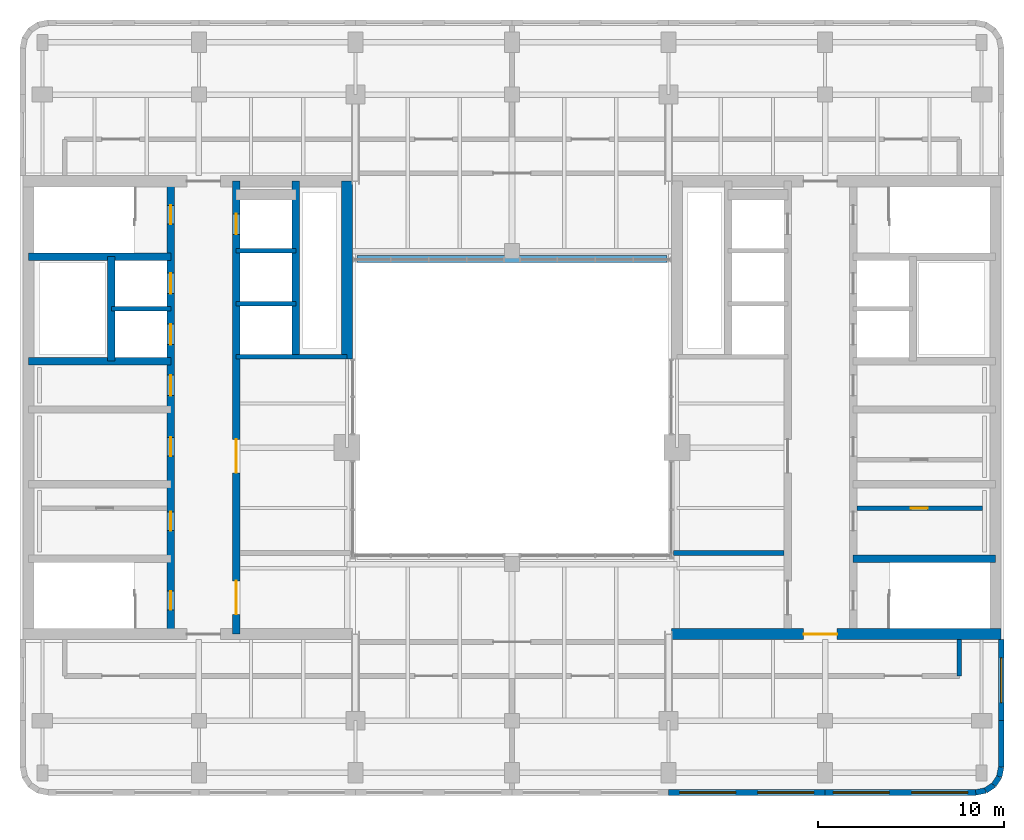
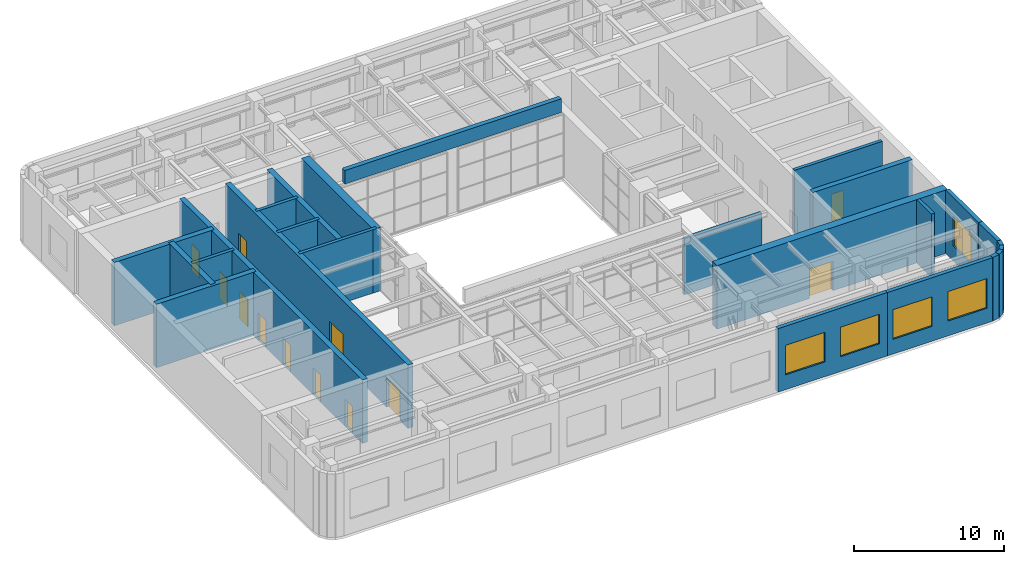
# One storey, part 8 of 11: 25 walls, 12 doors, 5 windows, 17 openings.
"""IFC4 building model written with IfcOpenShell, lengths in metres."""

import ifcopenshell
import ifcopenshell.guid

model = None  # the IFC model being written
_history = None  # IfcOwnerHistory: only IFC2X3 demands one
_inside = {}  # id of a spatial element -> (the spatial element, [elements in it])
_under = {}  # id of a project, library or spatial element -> (it, [spatial elements below it])
_declared = {}  # id of a project -> (the project, [libraries it declares])
_typed = {}  # id of a type object -> (the type object, [elements of that type])
_made_of = {}  # id of a material, layer set ... -> (it, [elements and type objects made of it])


def new_model(schema):
    """Start an empty IFC model of exactly this schema.

    Asked for "IFC4X3", IfcOpenShell would pick the latest addendum, in which some entities
    have other attributes; the version numbers below select the first issue.
    IFC2X3 requires an IfcOwnerHistory on every rooted entity: one is made here for all.
    """
    global model, _history
    if schema == "IFC4X3":
        model = ifcopenshell.file(schema_version=(4, 3, 0, 0))
    else:
        model = ifcopenshell.file(schema=schema)
    _inside.clear()
    _under.clear()
    _declared.clear()
    _typed.clear()
    _made_of.clear()
    _history = None
    if model.schema == "IFC2X3":
        org = make("IfcOrganization", Name="unknown")
        user = make(
            "IfcPersonAndOrganization",
            ThePerson=make("IfcPerson", FamilyName="unknown"),
            TheOrganization=org,
        )
        app = make(
            "IfcApplication",
            ApplicationDeveloper=org,
            Version="unknown",
            ApplicationFullName="unknown",
            ApplicationIdentifier="unknown",
        )
        _history = make(
            "IfcOwnerHistory",
            OwningUser=user,
            OwningApplication=app,
            ChangeAction="ADDED",
            CreationDate=0,
        )
    return model


def make(cls, **values):
    """One entity of the class cls with the attributes given. An attribute that is None is left unset."""
    return model.create_entity(
        cls, **{name: value for name, value in values.items() if value is not None}
    )


def rooted(cls, **values):
    """An entity with a GlobalId (a new one), such as an element, a storey or a relation."""
    return make(cls, GlobalId=ifcopenshell.guid.new(), OwnerHistory=_history, **values)


def si_unit(unit_type, name, prefix=None):
    """IfcSIUnit, for example si_unit("LENGTHUNIT", "METRE", prefix="MILLI")."""
    return make("IfcSIUnit", UnitType=unit_type, Prefix=prefix, Name=name)


def assignment(units):
    """IfcUnitAssignment: the units of a project."""
    return None if units is None else make("IfcUnitAssignment", Units=units)


def point(xyz):
    """IfcCartesianPoint."""
    return None if xyz is None else make("IfcCartesianPoint", Coordinates=xyz)


def direction(xyz):
    """IfcDirection."""
    return None if xyz is None else make("IfcDirection", DirectionRatios=xyz)


def frame(location, z_axis=None, x_axis=None):
    """IfcAxis2Placement3D, a coordinate frame: its origin and axes. An axis left out is left unset."""
    return make(
        "IfcAxis2Placement3D",
        Location=point(location),
        Axis=direction(z_axis),
        RefDirection=direction(x_axis),
    )


def frame_2d(location, x_axis=None):
    """IfcAxis2Placement2D, a coordinate frame in the plane: its origin and x axis."""
    return make(
        "IfcAxis2Placement2D", Location=point(location), RefDirection=direction(x_axis)
    )


def origin():
    """The frame at (0, 0, 0) with its axes left unset."""
    return frame((0.0, 0.0, 0.0))


def place(relative_to, where):
    """IfcLocalPlacement: puts the frame where relative to a parent placement (None: the world)."""
    return make(
        "IfcLocalPlacement", PlacementRelTo=relative_to, RelativePlacement=where
    )


def context(
    kind, dimensions, precision=None, world=None, true_north=None, identifier=None
):
    """IfcGeometricRepresentationContext, for example the 3D "Model" context."""
    return make(
        "IfcGeometricRepresentationContext",
        ContextIdentifier=identifier,
        ContextType=kind,
        CoordinateSpaceDimension=dimensions,
        Precision=precision,
        WorldCoordinateSystem=world,
        TrueNorth=true_north,
    )


def subcontext(parent, identifier, kind, view, scale=None):
    """IfcGeometricRepresentationSubContext, for example "Body" below "Model"."""
    return make(
        "IfcGeometricRepresentationSubContext",
        ContextIdentifier=identifier,
        ContextType=kind,
        ParentContext=parent,
        TargetScale=scale,
        TargetView=view,
    )


def project(units=None, contexts=None):
    """IfcProject with its units and contexts."""
    return rooted(
        "IfcProject",
        Name="project",
        RepresentationContexts=contexts,
        UnitsInContext=assignment(units),
    )


def spatial(cls, under=None, at=None, **own):
    """A site, building, storey or space (cls), placed at a placement, below another one or the project."""
    s = rooted(cls, ObjectPlacement=at, **own)
    if under is not None:
        _under.setdefault(under.id(), (under, []))[1].append(s)
    return s


def profile(cls, at=None, kind="AREA", **sizes):
    """A parametric profile (cls). Its sizes go by their IFC names, for example OverallWidth=200.0."""
    return make(cls, ProfileType=kind, Position=at, **sizes)


def rectangle(**sizes):
    """IfcRectangleProfileDef."""
    return profile("IfcRectangleProfileDef", **sizes)


def extrude(swept, where, along, depth):
    """IfcExtrudedAreaSolid: the profile swept, set in the frame where, extruded along a direction by depth."""
    return make(
        "IfcExtrudedAreaSolid",
        SweptArea=swept,
        Position=where,
        ExtrudedDirection=direction(along),
        Depth=depth,
    )


def shape(context_of_items, identifier, shape_type, items):
    """IfcShapeRepresentation: the items that make up one representation, for example the "Body"."""
    return make(
        "IfcShapeRepresentation",
        ContextOfItems=context_of_items,
        RepresentationIdentifier=identifier,
        RepresentationType=shape_type,
        Items=items,
    )


def material(Name=None, Category=None):
    """IfcMaterial."""
    return make("IfcMaterial", Name=Name, Category=Category)


def layer(
    of_material, thickness, ventilated=None, Name=None, Category=None, Priority=None
):
    """IfcMaterialLayer: one layer of a wall or slab, of a material (None: an air gap)."""
    return make(
        "IfcMaterialLayer",
        Material=of_material,
        LayerThickness=thickness,
        IsVentilated=ventilated,
        Name=Name,
        Category=Category,
        Priority=Priority,
    )


def layer_set(layers, Name=None):
    """IfcMaterialLayerSet."""
    return make("IfcMaterialLayerSet", MaterialLayers=layers, LayerSetName=Name)


def made_of(thing, what):
    """Note that an element or type object is made of a material, layer set ...; save() writes the relation."""
    if what is not None:
        _made_of.setdefault(what.id(), (what, []))[1].append(thing)
    return thing


def type_object(cls, material=None, **own):
    """A type object (cls), such as IfcWallType, which elements share."""
    return made_of(rooted(cls, **own), material)


def element(
    cls,
    number,
    at=None,
    inside=None,
    cuts=None,
    type_object=None,
    material=None,
    context=None,
    identifier="Body",
    shape_type=None,
    held_by="IfcProductDefinitionShape",
    body=None,
    shapes=None,
    **own,
):
    """One element of the class cls, such as IfcWall. Its Tag is "e" and its number.

    at: its placement. inside: the storey or other place that contains it. cuts: it is an
    opening in that element (IfcRelVoidsElement). A single representation is given by context,
    identifier, shape_type and body (its items); several are given by shapes. held_by: the class
    of the entity that holds the representations. save() writes the other relations.
    """
    e = rooted(cls, Tag="e%d" % number, ObjectPlacement=at, **own)
    if body is not None:
        shapes = [shape(context, identifier, shape_type, body)]
    if shapes is not None:
        e.Representation = make(held_by, Representations=shapes)
    if inside is not None:
        _inside.setdefault(inside.id(), (inside, []))[1].append(e)
    if cuts is not None:
        rooted(
            "IfcRelVoidsElement", RelatingBuildingElement=cuts, RelatedOpeningElement=e
        )
    if type_object is not None:
        _typed.setdefault(type_object.id(), (type_object, []))[1].append(e)
    return made_of(e, material)


def fill(opening, filler):
    """IfcRelFillsElement: the door or window that sits in an opening."""
    return rooted(
        "IfcRelFillsElement",
        RelatingOpeningElement=opening,
        RelatedBuildingElement=filler,
    )


def aggregate(whole, parts):
    """IfcRelAggregates: a whole, such as a stair, and the parts it consists of."""
    return rooted("IfcRelAggregates", RelatingObject=whole, RelatedObjects=parts)


def save(model, path):
    """Write the relations noted so far, then the file.

    IfcRelAggregates (storeys below a building ...), IfcRelContainedInSpatialStructure (elements
    in a storey), IfcRelDefinesByType, IfcRelAssociatesMaterial and IfcRelDeclares: one each for
    every whole, place, type object, material and project.
    """
    for whole, parts in _under.values():
        aggregate(whole, parts)
    for where, things in _inside.values():
        rooted(
            "IfcRelContainedInSpatialStructure",
            RelatedElements=things,
            RelatingStructure=where,
        )
    for kind, things in _typed.values():
        rooted("IfcRelDefinesByType", RelatedObjects=things, RelatingType=kind)
    for what, things in _made_of.values():
        rooted("IfcRelAssociatesMaterial", RelatedObjects=things, RelatingMaterial=what)
    for by, libraries in _declared.values():
        rooted("IfcRelDeclares", RelatingContext=by, RelatedDefinitions=libraries)
    model.write(path)


model = new_model("IFC4")

# Units and contexts
model_context = context("Model", 3, precision=1e-05, world=origin(), true_north=direction((0.0, 1.0)))
body_context = subcontext(model_context, "Body", "Model", "MODEL_VIEW")
ifc_project = project(units=[si_unit("LENGTHUNIT", "METRE"), si_unit("AREAUNIT", "SQUARE_METRE"), si_unit("VOLUMEUNIT", "CUBIC_METRE"), si_unit("PLANEANGLEUNIT", "RADIAN"), si_unit("MASSUNIT", "GRAM", prefix="KILO")], contexts=[model_context])

# Site, building, storey
site_placement = place(None, origin())
site = spatial("IfcSite", under=ifc_project, at=site_placement, CompositionType="ELEMENT")
building_placement = place(site_placement, origin())
building = spatial("IfcBuilding", under=site, at=building_placement, Name="Claustro Exchange Tower", CompositionType="ELEMENT")
storey_placement = place(building_placement, frame((0.0, 0.0, 281.699951171875)))
storey = spatial("IfcBuildingStorey", under=building, at=storey_placement, Name="L64", CompositionType="ELEMENT", Elevation=281.699951171875)

# Walls
ifc_material_1 = material(Name="Concrete blockwork, rendered", Category="masonry")
ifc_layer_1 = layer(ifc_material_1, 0.25)
ifc_layer_set_1 = layer_set([ifc_layer_1], Name="Concrete blockwork, rendered")
wall_type_1 = type_object("IfcWallType", Name="P4 250 blockwork wall", PredefinedType="PARTITIONING", material=ifc_layer_set_1)
wall_1_placement = place(storey_placement, frame((33.85791015625, 17.39990234375, 0.0), z_axis=(0.0, 0.0, 1.0), x_axis=(1.0, 0.0, 0.0)))
element("IfcWall", 1, at=wall_1_placement, inside=storey, type_object=wall_type_1, Name="Partition P4 L64", PredefinedType="PARTITIONING", context=body_context, shape_type="SweptSolid", body=[
    extrude(rectangle(XDim=5.944091796875, YDim=0.25, at=frame_2d((2.97216796875, 0.0))), origin(), (0.0, 0.0, 1.0), 4.56005859375),
])
wall_2_placement = place(storey_placement, frame((49.199951171875, 10.800048828125, 0.0), z_axis=(0.0, 0.0, 1.0), x_axis=(0.0, 1.0, 0.0)))
element("IfcWall", 2, at=wall_2_placement, inside=storey, type_object=wall_type_1, Name="Partition P4 L64", PredefinedType="PARTITIONING", context=body_context, shape_type="SweptSolid", body=[
    extrude(rectangle(XDim=1.951904296875, YDim=0.25, at=frame_2d((0.97607421875, 0.0))), origin(), (0.0, 0.0, 1.0), 5.150146484375),
])

# Wall, opening, door
wall_3_placement = place(storey_placement, frame((43.699951171875, 19.800048828125, 0.0), z_axis=(0.0, 0.0, 1.0), x_axis=(1.0, 0.0, 0.0)))
wall_3 = element("IfcWall", 3, at=wall_3_placement, inside=storey, type_object=wall_type_1, Name="Partition P4 L64", PredefinedType="PARTITIONING", context=body_context, shape_type="SweptSolid", body=[
    extrude(rectangle(XDim=6.75, YDim=0.25, at=frame_2d((3.375, 0.0))), origin(), (0.0, 0.0, 1.0), 5.199951171875),
])
opening_1_placement = place(wall_3_placement, frame((2.89990234375, 0.0, 0.0)))
opening_1 = element("IfcOpeningElement", 4, at=opening_1_placement, cuts=wall_3, Name="Opening D5", PredefinedType="OPENING", context=body_context, shape_type="SweptSolid", body=[
    extrude(rectangle(XDim=0.89990234375, YDim=2.199951171875, at=frame_2d((0.449951171875, 1.10009765625))), frame((0.0, 0.135009765625, 0.0), z_axis=(0.0, -1.0, 0.0), x_axis=(1.0, 0.0, 0.0)), (0.0, 0.0, 1.0), 0.27001953125),
])
ifc_material_2 = material(Name="Steel door, painted", Category="steel")
door_type_1 = type_object("IfcDoorType", Name="D5 900 x 2200 store door", OperationType="SINGLE_SWING_LEFT", PredefinedType="DOOR", material=ifc_material_2)
door_1_placement = place(opening_1_placement, origin())
door_1 = element("IfcDoor", 5, at=door_1_placement, inside=storey, type_object=door_type_1, Name="Store door D5 L64", OperationType="SINGLE_SWING_RIGHT", OverallHeight=2.199951171875, OverallWidth=0.89990234375, PredefinedType="DOOR", context=body_context, shape_type="SweptSolid", body=[
    extrude(rectangle(XDim=0.89990234375, YDim=2.199951171875, at=frame_2d((0.449951171875, 1.10009765625))), frame((0.0, 0.02490234375, 0.0), z_axis=(0.0, -1.0, 0.0), x_axis=(1.0, 0.0, 0.0)), (0.0, 0.0, 1.0), 0.050048828125),
])
fill(opening_1, door_1)

# Wall, openings, windows
ifc_material_3 = material(Name="Concrete HA-40 (C40/50), precast, white cement, acid-etched", Category="concrete")
ifc_layer_2 = layer(ifc_material_3, 0.300048828125)
ifc_layer_set_2 = layer_set([ifc_layer_2], Name="Concrete HA-40 (C40/50), precast, white cement, acid-etched")
wall_type_2 = type_object("IfcWallType", Name="PC1 300 precast concrete pier panel", PredefinedType="SOLIDWALL", material=ifc_layer_set_2)
wall_4_placement = place(storey_placement, frame((50.085205078125, 4.550048828125, 0.0), z_axis=(0.0, 0.0, 1.0), x_axis=(-1.0, 0.0, 0.0)))
wall_4 = element("IfcWall", 6, at=wall_4_placement, inside=storey, type_object=wall_type_2, Name="Precast pier panel PC1 L64", PredefinedType="SOLIDWALL", context=body_context, shape_type="SweptSolid", body=[
    extrude(rectangle(XDim=8.085205078125, YDim=0.300048828125, at=frame_2d((4.04248046875, 0.0))), origin(), (0.0, 0.0, 1.0), 5.150146484375),
])
opening_2_placement = place(wall_4_placement, frame((0.442626953125, 0.0, 1.199951171875)))
opening_2 = element("IfcOpeningElement", 7, at=opening_2_placement, cuts=wall_4, Name="Opening L1", PredefinedType="OPENING", context=body_context, shape_type="SweptSolid", body=[
    extrude(rectangle(XDim=3.0, YDim=2.39990234375, at=frame_2d((1.5, 1.199951171875))), frame((0.0, 0.159912109375, 0.0), z_axis=(0.0, -1.0, 0.0), x_axis=(1.0, 0.0, 0.0)), (0.0, 0.0, 1.0), 0.320068359375),
])
opening_3_placement = place(wall_4_placement, frame((4.642578125, 0.0, 1.199951171875)))
opening_3 = element("IfcOpeningElement", 8, at=opening_3_placement, cuts=wall_4, Name="Opening L1", PredefinedType="OPENING", context=body_context, shape_type="SweptSolid", body=[
    extrude(rectangle(XDim=3.0, YDim=2.39990234375, at=frame_2d((1.5, 1.199951171875))), frame((0.0, 0.159912109375, 0.0), z_axis=(0.0, -1.0, 0.0), x_axis=(1.0, 0.0, 0.0)), (0.0, 0.0, 1.0), 0.320068359375),
])
ifc_material_4 = material(Name="Aluminium louvre blades", Category="aluminium")
window_type_1 = type_object("IfcWindowType", Name="L1 3000 x 2400 plant louvre", PartitioningType="SINGLE_PANEL", PredefinedType="USERDEFINED", material=ifc_material_4)
window_1_placement = place(opening_2_placement, origin())
window_1 = element("IfcWindow", 9, at=window_1_placement, inside=storey, type_object=window_type_1, Name="Plant louvre L1 L64", ObjectType="LOUVRE", OverallHeight=2.39990234375, OverallWidth=3.0, PartitioningType="SINGLE_PANEL", PredefinedType="USERDEFINED", context=body_context, shape_type="SweptSolid", body=[
    extrude(rectangle(XDim=3.0, YDim=2.39990234375, at=frame_2d((1.5, 1.199951171875))), frame((0.0, 0.030029296875, 0.0), z_axis=(0.0, -1.0, 0.0), x_axis=(1.0, 0.0, 0.0)), (0.0, 0.0, 1.0), 0.06005859375),
])
fill(opening_2, window_1)
window_2_placement = place(opening_3_placement, origin())
window_2 = element("IfcWindow", 10, at=window_2_placement, inside=storey, type_object=window_type_1, Name="Plant louvre L1 L64", ObjectType="LOUVRE", OverallHeight=2.39990234375, OverallWidth=3.0, PartitioningType="SINGLE_PANEL", PredefinedType="USERDEFINED", context=body_context, shape_type="SweptSolid", body=[
    extrude(rectangle(XDim=3.0, YDim=2.39990234375, at=frame_2d((1.5, 1.199951171875))), frame((0.0, 0.030029296875, 0.0), z_axis=(0.0, -1.0, 0.0), x_axis=(1.0, 0.0, 0.0)), (0.0, 0.0, 1.0), 0.06005859375),
])
fill(opening_3, window_2)

wall_5_placement = place(storey_placement, frame((42.0, 4.550048828125, 0.0), z_axis=(0.0, 0.0, 1.0), x_axis=(-1.0, 0.0, 0.0)))
wall_5 = element("IfcWall", 11, at=wall_5_placement, inside=storey, type_object=wall_type_2, Name="Precast pier panel PC1 L64", PredefinedType="SOLIDWALL", context=body_context, shape_type="SweptSolid", body=[
    extrude(rectangle(XDim=8.39990234375, YDim=0.300048828125, at=frame_2d((4.199951171875, 0.0))), origin(), (0.0, 0.0, 1.0), 5.150146484375),
])
opening_4_placement = place(wall_5_placement, frame((0.60009765625, 0.0, 1.199951171875)))
opening_4 = element("IfcOpeningElement", 12, at=opening_4_placement, cuts=wall_5, Name="Opening L1", PredefinedType="OPENING", context=body_context, shape_type="SweptSolid", body=[
    extrude(rectangle(XDim=3.0, YDim=2.39990234375, at=frame_2d((1.5, 1.199951171875))), frame((0.0, 0.159912109375, 0.0), z_axis=(0.0, -1.0, 0.0), x_axis=(1.0, 0.0, 0.0)), (0.0, 0.0, 1.0), 0.320068359375),
])
opening_5_placement = place(wall_5_placement, frame((4.800048828125, 0.0, 1.199951171875)))
opening_5 = element("IfcOpeningElement", 13, at=opening_5_placement, cuts=wall_5, Name="Opening L1", PredefinedType="OPENING", context=body_context, shape_type="SweptSolid", body=[
    extrude(rectangle(XDim=3.0, YDim=2.39990234375, at=frame_2d((1.5, 1.199951171875))), frame((0.0, 0.159912109375, 0.0), z_axis=(0.0, -1.0, 0.0), x_axis=(1.0, 0.0, 0.0)), (0.0, 0.0, 1.0), 0.320068359375),
])
window_3_placement = place(opening_4_placement, origin())
window_3 = element("IfcWindow", 14, at=window_3_placement, inside=storey, type_object=window_type_1, Name="Plant louvre L1 L64", ObjectType="LOUVRE", OverallHeight=2.39990234375, OverallWidth=3.0, PartitioningType="SINGLE_PANEL", PredefinedType="USERDEFINED", context=body_context, shape_type="SweptSolid", body=[
    extrude(rectangle(XDim=3.0, YDim=2.39990234375, at=frame_2d((1.5, 1.199951171875))), frame((0.0, 0.030029296875, 0.0), z_axis=(0.0, -1.0, 0.0), x_axis=(1.0, 0.0, 0.0)), (0.0, 0.0, 1.0), 0.06005859375),
])
fill(opening_4, window_3)
window_4_placement = place(opening_5_placement, origin())
window_4 = element("IfcWindow", 15, at=window_4_placement, inside=storey, type_object=window_type_1, Name="Plant louvre L1 L64", ObjectType="LOUVRE", OverallHeight=2.39990234375, OverallWidth=3.0, PartitioningType="SINGLE_PANEL", PredefinedType="USERDEFINED", context=body_context, shape_type="SweptSolid", body=[
    extrude(rectangle(XDim=3.0, YDim=2.39990234375, at=frame_2d((1.5, 1.199951171875))), frame((0.0, 0.030029296875, 0.0), z_axis=(0.0, -1.0, 0.0), x_axis=(1.0, 0.0, 0.0)), (0.0, 0.0, 1.0), 0.06005859375),
])
fill(opening_5, window_4)

# Wall, opening, window
wall_6_placement = place(storey_placement, frame((51.449951171875, 12.75, 0.0), z_axis=(0.0, 0.0, 1.0), x_axis=(0.0, -1.0, 0.0)))
wall_6 = element("IfcWall", 16, at=wall_6_placement, inside=storey, type_object=wall_type_2, Name="Precast pier panel PC1 L64", PredefinedType="SOLIDWALL", context=body_context, shape_type="SweptSolid", body=[
    extrude(rectangle(XDim=4.35009765625, YDim=0.300048828125, at=frame_2d((2.175048828125, 0.0))), origin(), (0.0, 0.0, 1.0), 5.150146484375),
])
opening_6_placement = place(wall_6_placement, frame((0.97509765625, 0.0, 1.199951171875)))
opening_6 = element("IfcOpeningElement", 17, at=opening_6_placement, cuts=wall_6, Name="Opening L2", PredefinedType="OPENING", context=body_context, shape_type="SweptSolid", body=[
    extrude(rectangle(XDim=2.39990234375, YDim=2.39990234375, at=frame_2d((1.199951171875, 1.199951171875))), frame((0.0, 0.159912109375, 0.0), z_axis=(0.0, -1.0, 0.0), x_axis=(1.0, 0.0, 0.0)), (0.0, 0.0, 1.0), 0.320068359375),
])
ifc_material_5 = material(Name="Aluminium louvre blades", Category="aluminium")
window_type_2 = type_object("IfcWindowType", Name="L2 2400 x 2400 plant louvre", PartitioningType="SINGLE_PANEL", PredefinedType="USERDEFINED", material=ifc_material_5)
window_5_placement = place(opening_6_placement, origin())
window_5 = element("IfcWindow", 18, at=window_5_placement, inside=storey, type_object=window_type_2, Name="Plant louvre L2 L64", ObjectType="LOUVRE", OverallHeight=2.39990234375, OverallWidth=2.39990234375, PartitioningType="SINGLE_PANEL", PredefinedType="USERDEFINED", context=body_context, shape_type="SweptSolid", body=[
    extrude(rectangle(XDim=2.39990234375, YDim=2.39990234375, at=frame_2d((1.199951171875, 1.199951171875))), frame((0.0, 0.030029296875, 0.0), z_axis=(0.0, -1.0, 0.0), x_axis=(1.0, 0.0, 0.0)), (0.0, 0.0, 1.0), 0.06005859375),
])
fill(opening_6, window_5)

# Walls
wall_7_placement = place(storey_placement, frame((51.449951171875, 8.39990234375, 0.0), z_axis=(0.0, 0.0, 1.0), x_axis=(0.0, -1.0, 0.0)))
element("IfcWall", 19, at=wall_7_placement, inside=storey, type_object=wall_type_2, Name="Precast pier panel PC1 L64", PredefinedType="SOLIDWALL", context=body_context, shape_type="SweptSolid", body=[
    extrude(rectangle(XDim=2.485107421875, YDim=0.300048828125, at=frame_2d((1.24267578125, 0.0))), origin(), (0.0, 0.0, 1.0), 5.150146484375),
])
wall_8_placement = place(storey_placement, frame((51.449951171875, 5.914794921875, 0.0), z_axis=(0.0, 0.0, 1.0), x_axis=(-0.195073962632, -0.980788534345, 0.0)))
element("IfcWall", 20, at=wall_8_placement, inside=storey, type_object=wall_type_2, Name="Precast pier panel PC1 L64", PredefinedType="SOLIDWALL", context=body_context, shape_type="SweptSolid", body=[
    extrude(rectangle(XDim=0.540771484375, YDim=0.300048828125, at=frame_2d((0.2705078125, 0.0))), origin(), (0.0, 0.0, 1.0), 5.150146484375),
])
for number, where, z_axis, x_axis, name in (
    (21, (51.344482421875, 5.384521484375, 0.0), (0.0, 0.0, 1.0), (-0.555557463938, -0.831478144188, 0.0), "Precast pier panel PC1 L64"),
    (22, (51.052490234375, 4.947509765625, 0.0), (0.0, 0.0, 1.0), (-0.831478144188, -0.555557463938, 0.0), "Precast pier panel PC1 L64"),
):
    element("IfcWall", number, at=place(storey_placement, frame(where, z_axis=z_axis, x_axis=x_axis)), inside=storey, type_object=wall_type_2, Name=name, PredefinedType="SOLIDWALL", context=body_context, shape_type="SweptSolid", body=[
        extrude(rectangle(XDim=0.525634765625, YDim=0.300048828125, at=frame_2d((0.2626953125, 0.0))), origin(), (0.0, 0.0, 1.0), 5.150146484375),
    ])
wall_9_placement = place(storey_placement, frame((50.615478515625, 4.655517578125, 0.0), z_axis=(0.0, 0.0, 1.0), x_axis=(-0.980788534345, -0.195073962632, 0.0)))
element("IfcWall", 23, at=wall_9_placement, inside=storey, type_object=wall_type_2, Name="Precast pier panel PC1 L64", PredefinedType="SOLIDWALL", context=body_context, shape_type="SweptSolid", body=[
    extrude(rectangle(XDim=0.540771484375, YDim=0.300048828125, at=frame_2d((0.2705078125, 0.0))), origin(), (0.0, 0.0, 1.0), 5.150146484375),
])
ifc_material_6 = material(Name="Concrete HA-40 (C40/50), precast, white cement, acid-etched", Category="concrete")
ifc_layer_3 = layer(ifc_material_6, 0.35009765625)
ifc_layer_set_3 = layer_set([ifc_layer_3], Name="Concrete HA-40 (C40/50), precast, white cement, acid-etched")
wall_type_3 = type_object("IfcWallType", Name="PP2 350 precast concrete parapet", PredefinedType="PARAPET", material=ifc_layer_set_3)
wall_10_placement = place(storey_placement, frame((33.52001953125, 33.175048828125, 5.400146484375), z_axis=(0.0, 0.0, 1.0), x_axis=(-1.0, 0.0, 0.0)))
element("IfcWall", 24, at=wall_10_placement, inside=storey, type_object=wall_type_3, Name="Parapet PP2 roof at +287.100", PredefinedType="PARAPET", context=body_context, shape_type="SweptSolid", body=[
    extrude(rectangle(XDim=16.64013671875, YDim=0.35009765625, at=frame_2d((8.320068359375, 0.0))), origin(), (0.0, 0.0, 1.0), 1.099853515625),
])

# Wall, opening, door
ifc_material_7 = material(Name="Concrete HA-50 (C50/60)", Category="concrete")
ifc_layer_4 = layer(ifc_material_7, 0.60009765625)
ifc_layer_set_4 = layer_set([ifc_layer_4], Name="Concrete HA-50 (C50/60)")
wall_type_4 = type_object("IfcWallType", Name="SW3 600 core shear wall", PredefinedType="SHEAR", material=ifc_layer_set_4)
wall_11_placement = place(storey_placement, frame((33.75, 13.050048828125, 0.0), z_axis=(0.0, 0.0, 1.0), x_axis=(1.0, 0.0, 0.0)))
wall_11 = element("IfcWall", 25, at=wall_11_placement, inside=storey, type_object=wall_type_4, Name="Core wall SW3 E core S face L64", PredefinedType="SHEAR", context=body_context, shape_type="SweptSolid", body=[
    extrude(rectangle(XDim=17.699951171875, YDim=0.60009765625, at=frame_2d((8.85009765625, 0.0))), origin(), (0.0, 0.0, 1.0), 5.150146484375),
])
opening_7_placement = place(wall_11_placement, frame((7.10009765625, 0.0, 0.0)))
opening_7 = element("IfcOpeningElement", 26, at=opening_7_placement, cuts=wall_11, Name="Opening D3", PredefinedType="OPENING", context=body_context, shape_type="SweptSolid", body=[
    extrude(rectangle(XDim=1.800048828125, YDim=2.39990234375, at=frame_2d((0.89990234375, 1.199951171875))), frame((0.0, 0.31005859375, 0.0), z_axis=(0.0, -1.0, 0.0), x_axis=(1.0, 0.0, 0.0)), (0.0, 0.0, 1.0), 0.6201171875),
])
ifc_material_8 = material(Name="Steel fire door, painted", Category="steel")
door_type_2 = type_object("IfcDoorType", Name="D3 1800 x 2400 fire-rated lobby double door", OperationType="DOUBLE_DOOR_SINGLE_SWING", PredefinedType="DOOR", material=ifc_material_8)
door_2_placement = place(opening_7_placement, origin())
door_2 = element("IfcDoor", 27, at=door_2_placement, inside=storey, type_object=door_type_2, Name="Lift lobby door D3 L64", OperationType="DOUBLE_DOOR_SINGLE_SWING", OverallHeight=2.39990234375, OverallWidth=1.800048828125, PredefinedType="DOOR", context=body_context, shape_type="SweptSolid", body=[
    extrude(rectangle(XDim=1.800048828125, YDim=2.39990234375, at=frame_2d((0.89990234375, 1.199951171875))), frame((0.0, 0.02490234375, 0.0), z_axis=(0.0, -1.0, 0.0), x_axis=(1.0, 0.0, 0.0)), (0.0, 0.0, 1.0), 0.050048828125),
])
fill(opening_7, door_2)

# Wall
ifc_material_9 = material(Name="Concrete HA-50 (C50/60)", Category="concrete")
ifc_layer_5 = layer(ifc_material_9, 0.60009765625)
ifc_layer_set_5 = layer_set([ifc_layer_5], Name="Concrete HA-50 (C50/60)")
wall_type_5 = type_object("IfcWallType", Name="SW3X 600 exposed core shear wall, board-marked face", PredefinedType="SHEAR", material=ifc_layer_set_5)
wall_12_placement = place(storey_placement, frame((16.35009765625, 27.800048828125, 0.0), z_axis=(0.0, 0.0, 1.0), x_axis=(0.0, 1.0, 0.0)))
element("IfcWall", 28, at=wall_12_placement, inside=storey, type_object=wall_type_5, Name="Core wall SW3X W core E face L64", PredefinedType="SHEAR", context=body_context, shape_type="SweptSolid", body=[
    extrude(rectangle(XDim=9.550048828125, YDim=0.60009765625, at=frame_2d((4.77490234375, 0.0))), origin(), (0.0, 0.0, 1.0), 5.150146484375),
])

# Wall, openings, doors
ifc_material_10 = material(Name="Concrete HA-50 (C50/60)", Category="concrete")
ifc_layer_6 = layer(ifc_material_10, 0.39990234375)
ifc_layer_set_6 = layer_set([ifc_layer_6], Name="Concrete HA-50 (C50/60)")
wall_type_6 = type_object("IfcWallType", Name="SW4 400 internal core wall", PredefinedType="SHEAR", material=ifc_layer_set_6)
wall_13_placement = place(storey_placement, frame((6.89990234375, 13.050048828125, 0.0), z_axis=(0.0, 0.0, 1.0), x_axis=(0.0, 1.0, 0.0)))
wall_13 = element("IfcWall", 29, at=wall_13_placement, inside=storey, type_object=wall_type_6, Name="Internal core wall SW4 W core L64", PredefinedType="SHEAR", context=body_context, shape_type="SweptSolid", body=[
    extrude(rectangle(XDim=24.300048828125, YDim=0.39990234375, at=frame_2d((12.14990234375, 0.0))), origin(), (0.0, 0.0, 1.0), 5.150146484375),
])
opening_8_placement = place(wall_13_placement, frame((1.300048828125, 0.0, 0.0)))
opening_8 = element("IfcOpeningElement", 30, at=opening_8_placement, cuts=wall_13, Name="Opening D4", PredefinedType="OPENING", context=body_context, shape_type="SweptSolid", body=[
    extrude(rectangle(XDim=1.0, YDim=2.199951171875, at=frame_2d((0.5, 1.10009765625))), frame((0.0, 0.2099609375, 0.0), z_axis=(0.0, -1.0, 0.0), x_axis=(1.0, 0.0, 0.0)), (0.0, 0.0, 1.0), 0.419921875),
])
opening_9_placement = place(wall_13_placement, frame((22.0, 0.0, 0.0)))
opening_9 = element("IfcOpeningElement", 31, at=opening_9_placement, cuts=wall_13, Name="Opening D4", PredefinedType="OPENING", context=body_context, shape_type="SweptSolid", body=[
    extrude(rectangle(XDim=1.0, YDim=2.199951171875, at=frame_2d((0.5, 1.10009765625))), frame((0.0, 0.2099609375, 0.0), z_axis=(0.0, -1.0, 0.0), x_axis=(1.0, 0.0, 0.0)), (0.0, 0.0, 1.0), 0.419921875),
])
opening_10_placement = place(wall_13_placement, frame((5.550048828125, 0.0, 0.0)))
opening_10 = element("IfcOpeningElement", 32, at=opening_10_placement, cuts=wall_13, Name="Opening D1", PredefinedType="OPENING", context=body_context, shape_type="SweptSolid", body=[
    extrude(rectangle(XDim=1.0, YDim=2.199951171875, at=frame_2d((0.5, 1.10009765625))), frame((0.0, 0.2099609375, 0.0), z_axis=(0.0, -1.0, 0.0), x_axis=(1.0, 0.0, 0.0)), (0.0, 0.0, 1.0), 0.419921875),
])
opening_11_placement = place(wall_13_placement, frame((9.550048828125, 0.0, 0.0)))
opening_11 = element("IfcOpeningElement", 33, at=opening_11_placement, cuts=wall_13, Name="Opening D1", PredefinedType="OPENING", context=body_context, shape_type="SweptSolid", body=[
    extrude(rectangle(XDim=1.0, YDim=2.199951171875, at=frame_2d((0.5, 1.10009765625))), frame((0.0, 0.2099609375, 0.0), z_axis=(0.0, -1.0, 0.0), x_axis=(1.0, 0.0, 0.0)), (0.0, 0.0, 1.0), 0.419921875),
])
opening_12_placement = place(wall_13_placement, frame((12.800048828125, 0.0, 0.0)))
opening_12 = element("IfcOpeningElement", 34, at=opening_12_placement, cuts=wall_13, Name="Opening D10", PredefinedType="OPENING", context=body_context, shape_type="SweptSolid", body=[
    extrude(rectangle(XDim=1.10009765625, YDim=2.199951171875, at=frame_2d((0.550048828125, 1.10009765625))), frame((0.0, 0.2099609375, 0.0), z_axis=(0.0, -1.0, 0.0), x_axis=(1.0, 0.0, 0.0)), (0.0, 0.0, 1.0), 0.419921875),
])
opening_13_placement = place(wall_13_placement, frame((15.53759765625, 0.0, 0.0)))
opening_13 = element("IfcOpeningElement", 35, at=opening_13_placement, cuts=wall_13, Name="Opening LD", PredefinedType="OPENING", context=body_context, shape_type="SweptSolid", body=[
    extrude(rectangle(XDim=1.10009765625, YDim=2.199951171875, at=frame_2d((0.550048828125, 1.10009765625))), frame((0.0, 0.2099609375, 0.0), z_axis=(0.0, -1.0, 0.0), x_axis=(1.0, 0.0, 0.0)), (0.0, 0.0, 1.0), 0.419921875),
])
opening_14_placement = place(wall_13_placement, frame((18.262451171875, 0.0, 0.0)))
opening_14 = element("IfcOpeningElement", 36, at=opening_14_placement, cuts=wall_13, Name="Opening LD", PredefinedType="OPENING", context=body_context, shape_type="SweptSolid", body=[
    extrude(rectangle(XDim=1.10009765625, YDim=2.199951171875, at=frame_2d((0.550048828125, 1.10009765625))), frame((0.0, 0.2099609375, 0.0), z_axis=(0.0, -1.0, 0.0), x_axis=(1.0, 0.0, 0.0)), (0.0, 0.0, 1.0), 0.419921875),
])
ifc_material_11 = material(Name="Timber door, oak veneer", Category="wood")
door_type_3 = type_object("IfcDoorType", Name="D1 1000 x 2200 single door", OperationType="SINGLE_SWING_LEFT", PredefinedType="DOOR", material=ifc_material_11)
door_3_placement = place(opening_10_placement, origin())
door_3 = element("IfcDoor", 37, at=door_3_placement, inside=storey, type_object=door_type_3, Name="Door D1 L64", OperationType="SINGLE_SWING_RIGHT", OverallHeight=2.199951171875, OverallWidth=1.0, PredefinedType="DOOR", context=body_context, shape_type="SweptSolid", body=[
    extrude(rectangle(XDim=1.0, YDim=2.199951171875, at=frame_2d((0.5, 1.10009765625))), frame((0.0, 0.02490234375, 0.0), z_axis=(0.0, -1.0, 0.0), x_axis=(1.0, 0.0, 0.0)), (0.0, 0.0, 1.0), 0.050048828125),
])
fill(opening_10, door_3)
door_4_placement = place(opening_11_placement, origin())
door_4 = element("IfcDoor", 38, at=door_4_placement, inside=storey, type_object=door_type_3, Name="Door D1 L64", OperationType="SINGLE_SWING_RIGHT", OverallHeight=2.199951171875, OverallWidth=1.0, PredefinedType="DOOR", context=body_context, shape_type="SweptSolid", body=[
    extrude(rectangle(XDim=1.0, YDim=2.199951171875, at=frame_2d((0.5, 1.10009765625))), frame((0.0, 0.02490234375, 0.0), z_axis=(0.0, -1.0, 0.0), x_axis=(1.0, 0.0, 0.0)), (0.0, 0.0, 1.0), 0.050048828125),
])
fill(opening_11, door_4)
ifc_material_12 = material(Name="Timber door, oak veneer", Category="wood")
door_type_4 = type_object("IfcDoorType", Name="D10 1100 x 2200 accessible WC door", OperationType="SINGLE_SWING_LEFT", PredefinedType="DOOR", material=ifc_material_12)
door_5_placement = place(opening_12_placement, frame((1.10009765625, 0.0, 0.0), z_axis=(0.0, 0.0, 1.0), x_axis=(-1.0, 0.0, 0.0)))
door_5 = element("IfcDoor", 39, at=door_5_placement, inside=storey, type_object=door_type_4, Name="Accessible WC door D10 L64", OperationType="SINGLE_SWING_LEFT", OverallHeight=2.199951171875, OverallWidth=1.10009765625, PredefinedType="DOOR", context=body_context, shape_type="SweptSolid", body=[
    extrude(rectangle(XDim=1.10009765625, YDim=2.199951171875, at=frame_2d((0.550048828125, 1.10009765625))), frame((0.0, 0.02490234375, 0.0), z_axis=(0.0, -1.0, 0.0), x_axis=(1.0, 0.0, 0.0)), (0.0, 0.0, 1.0), 0.050048828125),
])
fill(opening_12, door_5)
ifc_material_13 = material(Name="Steel fire door, painted", Category="steel")
door_type_5 = type_object("IfcDoorType", Name="D4 1000 x 2200 fire-rated stair door", OperationType="SINGLE_SWING_LEFT", PredefinedType="DOOR", material=ifc_material_13)
door_6_placement = place(opening_8_placement, origin())
door_6 = element("IfcDoor", 40, at=door_6_placement, inside=storey, type_object=door_type_5, Name="Stair door D4 L64", OperationType="SINGLE_SWING_LEFT", OverallHeight=2.199951171875, OverallWidth=1.0, PredefinedType="DOOR", context=body_context, shape_type="SweptSolid", body=[
    extrude(rectangle(XDim=1.0, YDim=2.199951171875, at=frame_2d((0.5, 1.10009765625))), frame((0.0, 0.02490234375, 0.0), z_axis=(0.0, -1.0, 0.0), x_axis=(1.0, 0.0, 0.0)), (0.0, 0.0, 1.0), 0.050048828125),
])
fill(opening_8, door_6)
door_7_placement = place(opening_9_placement, origin())
door_7 = element("IfcDoor", 41, at=door_7_placement, inside=storey, type_object=door_type_5, Name="Stair door D4 L64", OperationType="SINGLE_SWING_RIGHT", OverallHeight=2.199951171875, OverallWidth=1.0, PredefinedType="DOOR", context=body_context, shape_type="SweptSolid", body=[
    extrude(rectangle(XDim=1.0, YDim=2.199951171875, at=frame_2d((0.5, 1.10009765625))), frame((0.0, 0.02490234375, 0.0), z_axis=(0.0, -1.0, 0.0), x_axis=(1.0, 0.0, 0.0)), (0.0, 0.0, 1.0), 0.050048828125),
])
fill(opening_9, door_7)
ifc_material_14 = material(Name="Stainless steel sliding door", Category="steel")
door_type_6 = type_object("IfcDoorType", Name="LD 1100 x 2200 lift landing door", OperationType="DOUBLE_DOOR_SLIDING", PredefinedType="DOOR", material=ifc_material_14)
door_8_placement = place(opening_13_placement, origin())
door_8 = element("IfcDoor", 42, at=door_8_placement, inside=storey, type_object=door_type_6, Name="Lift landing door LEW1 LD L64", OperationType="DOUBLE_DOOR_SLIDING", OverallHeight=2.199951171875, OverallWidth=1.10009765625, PredefinedType="DOOR", context=body_context, shape_type="SweptSolid", body=[
    extrude(rectangle(XDim=1.10009765625, YDim=2.199951171875, at=frame_2d((0.550048828125, 1.10009765625))), frame((0.0, 0.02490234375, 0.0), z_axis=(0.0, -1.0, 0.0), x_axis=(1.0, 0.0, 0.0)), (0.0, 0.0, 1.0), 0.050048828125),
])
fill(opening_13, door_8)
door_9_placement = place(opening_14_placement, origin())
door_9 = element("IfcDoor", 43, at=door_9_placement, inside=storey, type_object=door_type_6, Name="Lift landing door LEW2 LD L64", OperationType="DOUBLE_DOOR_SLIDING", OverallHeight=2.199951171875, OverallWidth=1.10009765625, PredefinedType="DOOR", context=body_context, shape_type="SweptSolid", body=[
    extrude(rectangle(XDim=1.10009765625, YDim=2.199951171875, at=frame_2d((0.550048828125, 1.10009765625))), frame((0.0, 0.02490234375, 0.0), z_axis=(0.0, -1.0, 0.0), x_axis=(1.0, 0.0, 0.0)), (0.0, 0.0, 1.0), 0.050048828125),
])
fill(opening_14, door_9)

wall_14_placement = place(storey_placement, frame((10.39990234375, 13.050048828125, 0.0), z_axis=(0.0, 0.0, 1.0), x_axis=(0.0, 1.0, 0.0)))
wall_14 = element("IfcWall", 44, at=wall_14_placement, inside=storey, type_object=wall_type_6, Name="Internal core wall SW4 W core L64", PredefinedType="SHEAR", context=body_context, shape_type="SweptSolid", body=[
    extrude(rectangle(XDim=24.300048828125, YDim=0.39990234375, at=frame_2d((12.14990234375, 0.0))), origin(), (0.0, 0.0, 1.0), 5.150146484375),
])
opening_15_placement = place(wall_14_placement, frame((21.449951171875, 0.0, 0.0)))
opening_15 = element("IfcOpeningElement", 45, at=opening_15_placement, cuts=wall_14, Name="Opening LD", PredefinedType="OPENING", context=body_context, shape_type="SweptSolid", body=[
    extrude(rectangle(XDim=1.10009765625, YDim=2.199951171875, at=frame_2d((0.550048828125, 1.10009765625))), frame((0.0, 0.2099609375, 0.0), z_axis=(0.0, -1.0, 0.0), x_axis=(1.0, 0.0, 0.0)), (0.0, 0.0, 1.0), 0.419921875),
])
opening_16_placement = place(wall_14_placement, frame((8.64990234375, 0.0, 0.0)))
opening_16 = element("IfcOpeningElement", 46, at=opening_16_placement, cuts=wall_14, Name="Opening D3", PredefinedType="OPENING", context=body_context, shape_type="SweptSolid", body=[
    extrude(rectangle(XDim=1.800048828125, YDim=2.39990234375, at=frame_2d((0.89990234375, 1.199951171875))), frame((0.0, 0.2099609375, 0.0), z_axis=(0.0, -1.0, 0.0), x_axis=(1.0, 0.0, 0.0)), (0.0, 0.0, 1.0), 0.419921875),
])
opening_17_placement = place(wall_14_placement, frame((1.050048828125, 0.0, 0.0)))
opening_17 = element("IfcOpeningElement", 47, at=opening_17_placement, cuts=wall_14, Name="Opening D3", PredefinedType="OPENING", context=body_context, shape_type="SweptSolid", body=[
    extrude(rectangle(XDim=1.800048828125, YDim=2.39990234375, at=frame_2d((0.89990234375, 1.199951171875))), frame((0.0, 0.2099609375, 0.0), z_axis=(0.0, -1.0, 0.0), x_axis=(1.0, 0.0, 0.0)), (0.0, 0.0, 1.0), 0.419921875),
])
door_10_placement = place(opening_16_placement, frame((1.800048828125, 0.0, 0.0), z_axis=(0.0, 0.0, 1.0), x_axis=(-1.0, 0.0, 0.0)))
door_10 = element("IfcDoor", 48, at=door_10_placement, inside=storey, type_object=door_type_2, Name="Core zone door D3 L64", OperationType="DOUBLE_DOOR_SINGLE_SWING", OverallHeight=2.39990234375, OverallWidth=1.800048828125, PredefinedType="DOOR", context=body_context, shape_type="SweptSolid", body=[
    extrude(rectangle(XDim=1.800048828125, YDim=2.39990234375, at=frame_2d((0.89990234375, 1.199951171875))), frame((0.0, 0.02490234375, 0.0), z_axis=(0.0, -1.0, 0.0), x_axis=(1.0, 0.0, 0.0)), (0.0, 0.0, 1.0), 0.050048828125),
])
fill(opening_16, door_10)
door_11_placement = place(opening_17_placement, frame((1.800048828125, 0.0, 0.0), z_axis=(0.0, 0.0, 1.0), x_axis=(-1.0, 0.0, 0.0)))
door_11 = element("IfcDoor", 49, at=door_11_placement, inside=storey, type_object=door_type_2, Name="Core zone door D3 L64", OperationType="DOUBLE_DOOR_SINGLE_SWING", OverallHeight=2.39990234375, OverallWidth=1.800048828125, PredefinedType="DOOR", context=body_context, shape_type="SweptSolid", body=[
    extrude(rectangle(XDim=1.800048828125, YDim=2.39990234375, at=frame_2d((0.89990234375, 1.199951171875))), frame((0.0, 0.02490234375, 0.0), z_axis=(0.0, -1.0, 0.0), x_axis=(1.0, 0.0, 0.0)), (0.0, 0.0, 1.0), 0.050048828125),
])
fill(opening_17, door_11)
door_12_placement = place(opening_15_placement, origin())
door_12 = element("IfcDoor", 50, at=door_12_placement, inside=storey, type_object=door_type_6, Name="Lift landing door LSW1 LD L64", OperationType="DOUBLE_DOOR_SLIDING", OverallHeight=2.199951171875, OverallWidth=1.10009765625, PredefinedType="DOOR", context=body_context, shape_type="SweptSolid", body=[
    extrude(rectangle(XDim=1.10009765625, YDim=2.199951171875, at=frame_2d((0.550048828125, 1.10009765625))), frame((0.0, 0.02490234375, 0.0), z_axis=(0.0, -1.0, 0.0), x_axis=(1.0, 0.0, 0.0)), (0.0, 0.0, 1.0), 0.050048828125),
])
fill(opening_15, door_12)

# Walls
wall_15_placement = place(storey_placement, frame((13.60009765625, 27.925048828125, 0.0), z_axis=(0.0, 0.0, 1.0), x_axis=(0.0, 1.0, 0.0)))
element("IfcWall", 51, at=wall_15_placement, inside=storey, type_object=wall_type_6, Name="Internal core wall SW4 W core L64", PredefinedType="SHEAR", context=body_context, shape_type="SweptSolid", body=[
    extrude(rectangle(XDim=9.425048828125, YDim=0.39990234375, at=frame_2d((4.71240234375, 0.0))), origin(), (0.0, 0.0, 1.0), 5.150146484375),
])
for number, where, z_axis, x_axis, name in (
    (52, (-0.75, 27.699951171875, 0.0), (0.0, 0.0, 1.0), (1.0, 0.0, 0.0), "Internal core wall SW4 W core L64"),
    (53, (-0.75, 33.300048828125, 0.0), (0.0, 0.0, 1.0), (1.0, 0.0, 0.0), "Internal core wall SW4 W core L64"),
):
    element("IfcWall", number, at=place(storey_placement, frame(where, z_axis=z_axis, x_axis=x_axis)), inside=storey, type_object=wall_type_6, Name=name, PredefinedType="SHEAR", context=body_context, shape_type="SweptSolid", body=[
        extrude(rectangle(XDim=7.64990234375, YDim=0.39990234375, at=frame_2d((3.824951171875, 0.0))), origin(), (0.0, 0.0, 1.0), 5.150146484375),
    ])
wall_16_placement = place(storey_placement, frame((3.699951171875, 27.699951171875, 0.0), z_axis=(0.0, 0.0, 1.0), x_axis=(0.0, 1.0, 0.0)))
element("IfcWall", 54, at=wall_16_placement, inside=storey, type_object=wall_type_6, Name="Internal core wall SW4 W core L64", PredefinedType="SHEAR", context=body_context, shape_type="SweptSolid", body=[
    extrude(rectangle(XDim=5.60009765625, YDim=0.39990234375, at=frame_2d((2.800048828125, 0.0))), origin(), (0.0, 0.0, 1.0), 5.150146484375),
])
wall_17_placement = place(storey_placement, frame((51.14990234375, 17.10009765625, 0.0), z_axis=(0.0, 0.0, 1.0), x_axis=(-1.0, 0.0, 0.0)))
element("IfcWall", 55, at=wall_17_placement, inside=storey, type_object=wall_type_6, Name="Internal core wall SW4 E core L64", PredefinedType="SHEAR", context=body_context, shape_type="SweptSolid", body=[
    extrude(rectangle(XDim=7.64990234375, YDim=0.39990234375, at=frame_2d((3.824951171875, 0.0))), origin(), (0.0, 0.0, 1.0), 5.150146484375),
])
ifc_material_15 = material(Name="Concrete HA-50 (C50/60)", Category="concrete")
ifc_layer_7 = layer(ifc_material_15, 0.25)
ifc_layer_set_7 = layer_set([ifc_layer_7], Name="Concrete HA-50 (C50/60)")
wall_type_7 = type_object("IfcWallType", Name="SW5 250 lift shaft divider wall", PredefinedType="SHEAR", material=ifc_layer_set_7)
wall_18_placement = place(storey_placement, frame((3.699951171875, 30.5, 0.0), z_axis=(0.0, 0.0, 1.0), x_axis=(1.0, 0.0, 0.0)))
element("IfcWall", 56, at=wall_18_placement, inside=storey, type_object=wall_type_7, Name="Lift shaft wall W core L64", PredefinedType="SHEAR", context=body_context, shape_type="SweptSolid", body=[
    extrude(rectangle(XDim=3.199951171875, YDim=0.25, at=frame_2d((1.60009765625, 0.0))), origin(), (0.0, 0.0, 1.0), 5.150146484375),
])
wall_19_placement = place(storey_placement, frame((10.39990234375, 27.925048828125, 0.0), z_axis=(0.0, 0.0, 1.0), x_axis=(1.0, 0.0, 0.0)))
element("IfcWall", 57, at=wall_19_placement, inside=storey, type_object=wall_type_7, Name="Core step wall W core L64", PredefinedType="SHEAR", context=body_context, shape_type="SweptSolid", body=[
    extrude(rectangle(XDim=5.9501953125, YDim=0.25, at=frame_2d((2.97509765625, 0.0))), origin(), (0.0, 0.0, 1.0), 5.150146484375),
])
for number, where, z_axis, x_axis, name in (
    (58, (10.39990234375, 30.77490234375, 0.0), (0.0, 0.0, 1.0), (1.0, 0.0, 0.0), "Lift shaft wall W core L64"),
    (59, (10.39990234375, 33.625, 0.0), (0.0, 0.0, 1.0), (1.0, 0.0, 0.0), "Lift shaft wall W core L64"),
):
    element("IfcWall", number, at=place(storey_placement, frame(where, z_axis=z_axis, x_axis=x_axis)), inside=storey, type_object=wall_type_7, Name=name, PredefinedType="SHEAR", context=body_context, shape_type="SweptSolid", body=[
        extrude(rectangle(XDim=3.2001953125, YDim=0.25, at=frame_2d((1.60009765625, 0.0))), origin(), (0.0, 0.0, 1.0), 5.150146484375),
    ])

save(model, "model.ifc")
